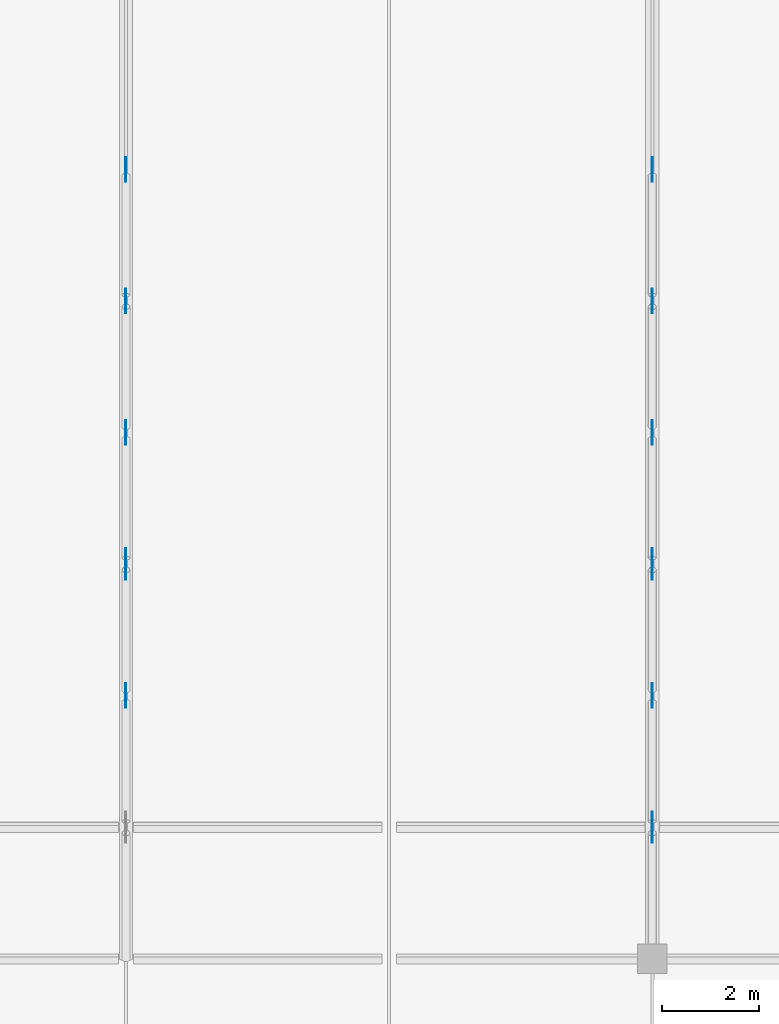
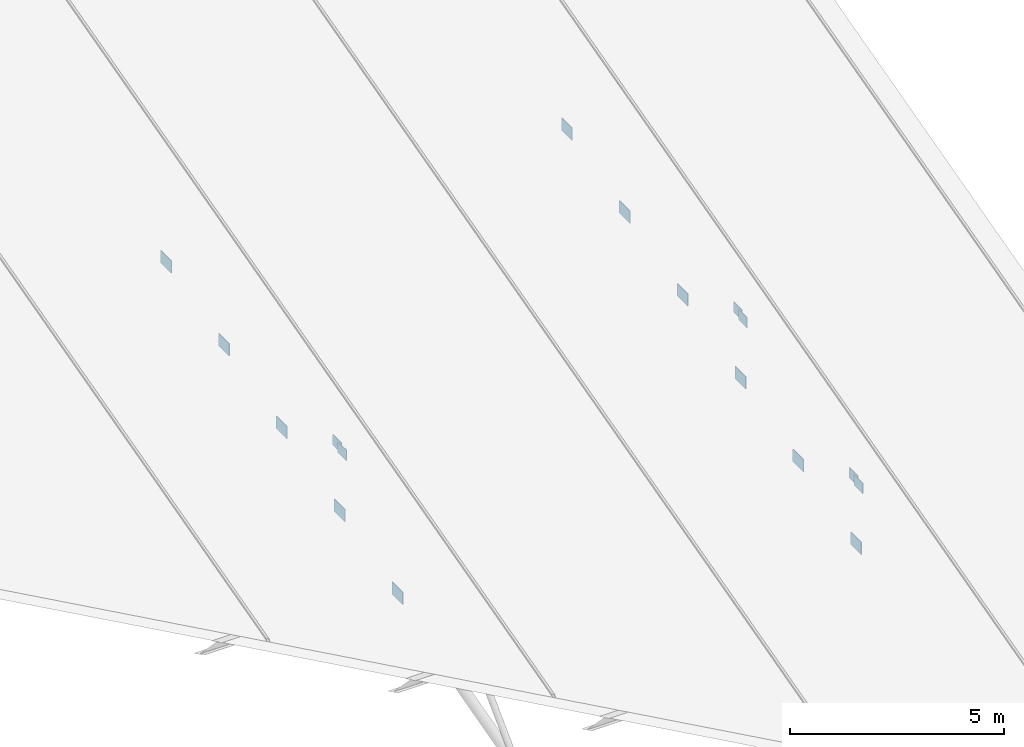
# One storey, part 18 of 23: 17 discrete accessories.
"""IFC4 building model written with IfcOpenShell, lengths in metres."""

from ifc_helpers import new_model, si_unit, direction, frame, origin, origin_2d, place, context, subcontext, project, spatial, rectangle, extrude, material, layer, layer_set, type_object, element, save


model = new_model("IFC4")

# Units and contexts
model_context = context("Model", 3, precision=1e-05, world=origin(), true_north=direction((0.0, 1.0)))
body_context = subcontext(model_context, "Body", "Model", "MODEL_VIEW")
ifc_project = project(units=[si_unit("LENGTHUNIT", "METRE"), si_unit("AREAUNIT", "SQUARE_METRE"), si_unit("VOLUMEUNIT", "CUBIC_METRE"), si_unit("PLANEANGLEUNIT", "RADIAN"), si_unit("MASSUNIT", "GRAM", prefix="KILO")], contexts=[model_context])

# Site, building, storey
site_placement = place(None, origin())
site = spatial("IfcSite", under=ifc_project, at=site_placement, CompositionType="ELEMENT")
building_placement = place(site_placement, origin())
building = spatial("IfcBuilding", under=site, at=building_placement, Name="Tabaq Tower and Sports Hall", CompositionType="ELEMENT")
storey_placement = place(building_placement, frame((0.0, 0.0, 24.60009765625)))
storey = spatial("IfcBuildingStorey", under=building, at=storey_placement, Name="L04", CompositionType="ELEMENT", Elevation=24.60009765625)

# Discrete accessories
ifc_material_1 = material(Name="Steel S355", Category="steel")
ifc_layer_1 = layer(ifc_material_1, 0.02001953125)
ifc_layer_set_1 = layer_set([ifc_layer_1], Name="ROOF TRUSS BEARING PLATE 400x300x20 S355")
discrete_accessory_type_1 = type_object("IfcDiscreteAccessoryType", Name="ROOF TRUSS BEARING PLATE 400x300x20 S355", PredefinedType="ANCHORPLATE", material=ifc_layer_set_1)
for number, where, z_axis, x_axis, name in (
    (1, (108.0, 18.780029296875, 3.85400390625), (0.0, 0.0, 1.0), (1.0, 0.0, 0.0), "Roof truss 3 bearing plate 03"),
    (2, (108.0, 19.02001953125, 3.91845703125), (0.0, 0.0, 1.0), (1.0, 0.0, 0.0), "Roof truss 3 bearing plate 04"),
    (3, (118.800048828125, 13.3798828125, 2.4072265625), (0.0, 0.0, 1.0), (1.0, 0.0, 0.0), "Roof truss 4 bearing plate 01"),
    (4, (118.800048828125, 13.6201171875, 2.4716796875), (0.0, 0.0, 1.0), (1.0, 0.0, 0.0), "Roof truss 4 bearing plate 02"),
    (5, (118.800048828125, 18.780029296875, 3.85400390625), (0.0, 0.0, 1.0), (1.0, 0.0, 0.0), "Roof truss 4 bearing plate 03"),
    (6, (118.800048828125, 19.02001953125, 3.91845703125), (0.0, 0.0, 1.0), (1.0, 0.0, 0.0), "Roof truss 4 bearing plate 04"),
):
    element("IfcDiscreteAccessory", number, at=place(storey_placement, frame(where, z_axis=z_axis, x_axis=x_axis)), inside=storey, type_object=discrete_accessory_type_1, Name=name, PredefinedType="ANCHORPLATE", context=body_context, shape_type="SweptSolid", body=[
        extrude(rectangle(XDim=0.02001953125, YDim=0.39990234375, at=origin_2d()), origin(), (0.0, 0.0, 1.0), 0.300048828125),
    ])
ifc_material_2 = material(Name="Steel S355", Category="steel")
ifc_layer_2 = layer(ifc_material_2, 0.02001953125)
ifc_layer_set_2 = layer_set([ifc_layer_2], Name="ROOF TRUSS NODE PLATE 500x350x20 S355")
discrete_accessory_type_2 = type_object("IfcDiscreteAccessoryType", Name="ROOF TRUSS NODE PLATE 500x350x20 S355", PredefinedType="ANCHORPLATE", material=ifc_layer_set_2)
for number, where, z_axis, x_axis, name in (
    (7, (108.0, 16.199951171875, 1.34765625), (0.0, 0.0, 1.0), (1.0, 0.0, 0.0), "Roof truss 3 node plate 03"),
    (8, (108.0, 18.89990234375, 2.0712890625), (0.0, 0.0, 1.0), (1.0, 0.0, 0.0), "Roof truss 3 node plate 04"),
    (9, (108.0, 21.60009765625, 2.794677734375), (0.0, 0.0, 1.0), (1.0, 0.0, 0.0), "Roof truss 3 node plate 05"),
    (10, (108.0, 24.300048828125, 3.51806640625), (0.0, 0.0, 1.0), (1.0, 0.0, 0.0), "Roof truss 3 node plate 06"),
    (11, (108.0, 27.0, 4.24169921875), (0.0, 0.0, 1.0), (1.0, 0.0, 0.0), "Roof truss 3 node plate 07"),
    (12, (118.800048828125, 13.5, 0.624267578125), (0.0, 0.0, 1.0), (1.0, 0.0, 0.0), "Roof truss 4 node plate 02"),
    (13, (118.800048828125, 16.199951171875, 1.34765625), (0.0, 0.0, 1.0), (1.0, 0.0, 0.0), "Roof truss 4 node plate 03"),
    (14, (118.800048828125, 18.89990234375, 2.0712890625), (0.0, 0.0, 1.0), (1.0, 0.0, 0.0), "Roof truss 4 node plate 04"),
    (15, (118.800048828125, 21.60009765625, 2.794677734375), (0.0, 0.0, 1.0), (1.0, 0.0, 0.0), "Roof truss 4 node plate 05"),
    (16, (118.800048828125, 24.300048828125, 3.51806640625), (0.0, 0.0, 1.0), (1.0, 0.0, 0.0), "Roof truss 4 node plate 06"),
    (17, (118.800048828125, 27.0, 4.24169921875), (0.0, 0.0, 1.0), (1.0, 0.0, 0.0), "Roof truss 4 node plate 07"),
):
    element("IfcDiscreteAccessory", number, at=place(storey_placement, frame(where, z_axis=z_axis, x_axis=x_axis)), inside=storey, type_object=discrete_accessory_type_2, Name=name, PredefinedType="ANCHORPLATE", context=body_context, shape_type="SweptSolid", body=[
        extrude(rectangle(XDim=0.02001953125, YDim=0.5, at=origin_2d()), origin(), (0.0, 0.0, 1.0), 0.35009765625),
    ])

save(model, "model.ifc")
